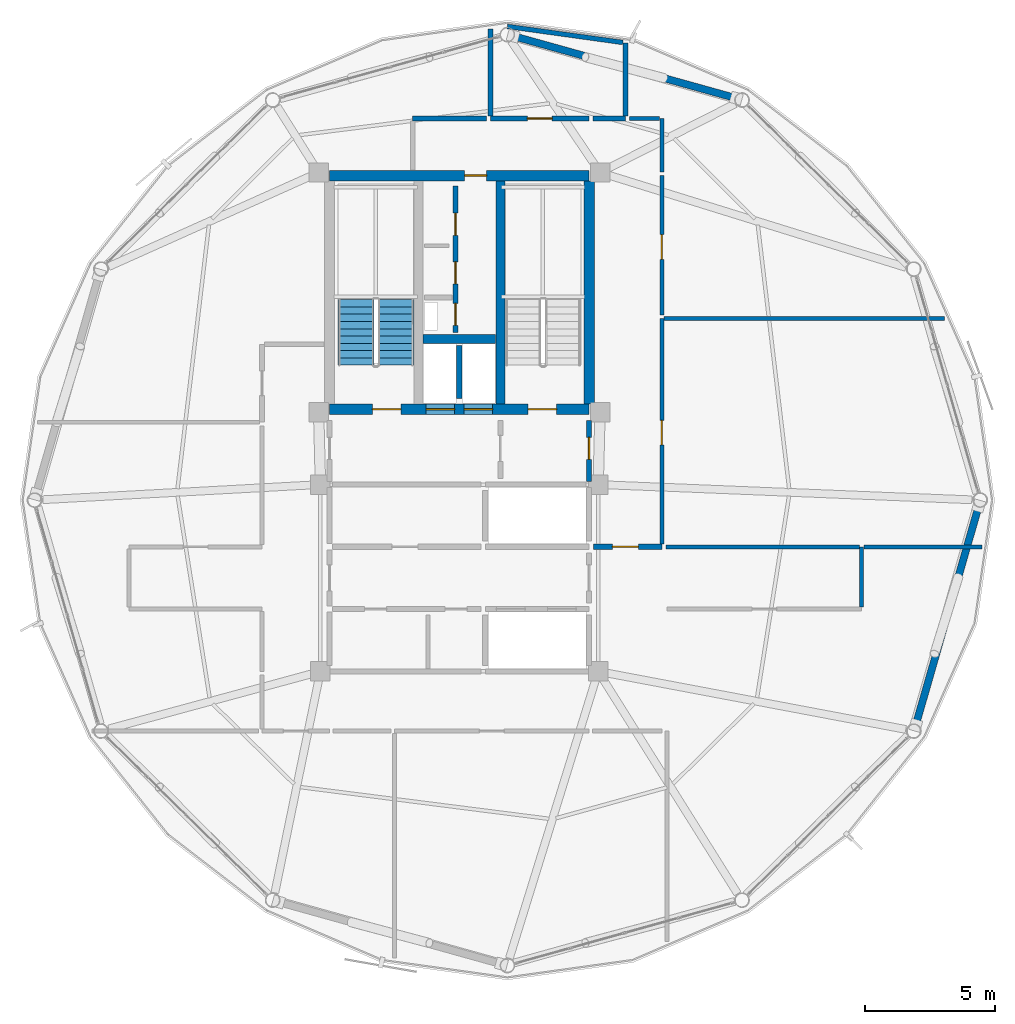
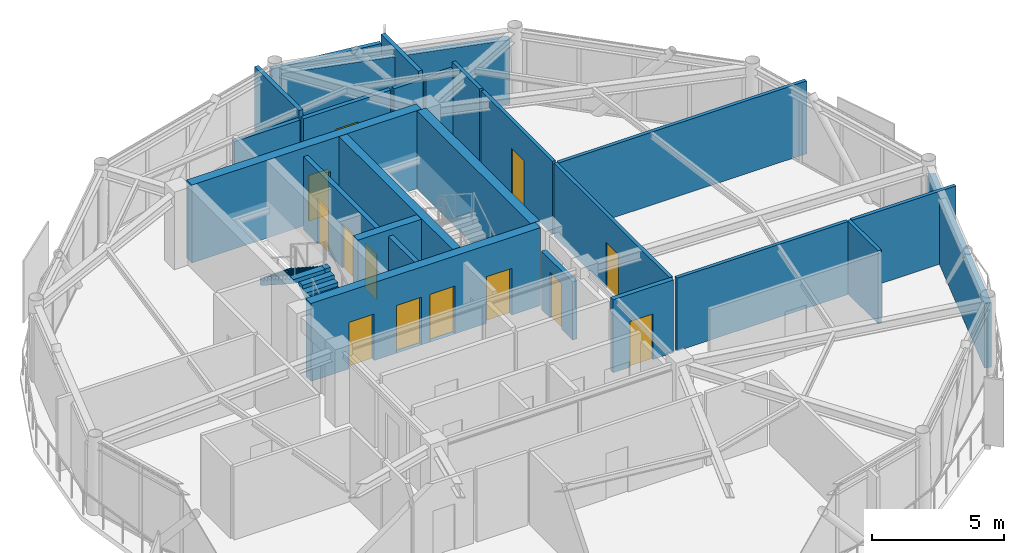
# One storey, part 22 of 27: 25 walls, 13 doors, 2 stair flights, 13 openings, 1 element without a shape of its own.
"""IFC4 building model written with IfcOpenShell, lengths in metres."""

from ifc_helpers import new_model, si_unit, direction, frame, frame_2d, origin, place, context, subcontext, project, spatial, polyline, rectangle, outline, extrude, material, layer, layer_set, type_object, element, fill, aggregate, save


model = new_model("IFC4")

# Units and contexts
model_context = context("Model", 3, precision=1e-05, world=origin(), true_north=direction((0.0, 1.0)))
body_context = subcontext(model_context, "Body", "Model", "MODEL_VIEW")
ifc_project = project(units=[si_unit("LENGTHUNIT", "METRE"), si_unit("AREAUNIT", "SQUARE_METRE"), si_unit("VOLUMEUNIT", "CUBIC_METRE"), si_unit("PLANEANGLEUNIT", "RADIAN"), si_unit("MASSUNIT", "GRAM", prefix="KILO")], contexts=[model_context])

# Site, building, storey
site_placement = place(None, origin())
site = spatial("IfcSite", under=ifc_project, at=site_placement, CompositionType="ELEMENT")
building_placement = place(site_placement, origin())
building = spatial("IfcBuilding", under=site, at=building_placement, Name="Varnakorn Sky Granary", CompositionType="ELEMENT")
storey_placement = place(building_placement, frame((0.0, 0.0, 263.39990234375)))
storey = spatial("IfcBuildingStorey", under=building, at=storey_placement, Name="L67", CompositionType="ELEMENT", Elevation=263.39990234375)

# Walls
ifc_material_1 = material(Name="Concrete C50/60", Category="concrete")
ifc_layer_1 = layer(ifc_material_1, 0.35009765625, Name="Concrete C50/60")
ifc_layer_set_1 = layer_set([ifc_layer_1], Name="Concrete C50/60")
wall_type_1 = type_object("IfcWallType", Name="WT-CW-INT-350", PredefinedType="SHEAR", material=ifc_layer_set_1)
wall_1_placement = place(storey_placement, frame((4.580078125, 3.7099609375, 0.0), z_axis=(0.0, 0.0, 1.0), x_axis=(0.0, 1.0, 0.0)))
element("IfcWall", 1, at=wall_1_placement, inside=storey, type_object=wall_type_1, Name="Stair ST-2 Core Wall L67", PredefinedType="SHEAR", context=body_context, shape_type="SweptSolid", body=[
    extrude(rectangle(XDim=8.580078125, YDim=0.35009765625, at=frame_2d((4.2900390625, 0.0))), origin(), (0.0, 0.0, 1.0), 3.592041015625),
])
wall_2_placement = place(storey_placement, frame((1.610107421875, 6.199951171875, 0.0), z_axis=(0.0, 0.0, 1.0), x_axis=(1.0, 0.0, 0.0)))
element("IfcWall", 2, at=wall_2_placement, inside=storey, type_object=wall_type_1, Name="Core Lift Shaft Cross Wall L67", PredefinedType="SHEAR", context=body_context, shape_type="SweptSolid", body=[
    extrude(rectangle(XDim=2.77978515625, YDim=0.35009765625, at=frame_2d((1.389892578125, 0.0))), origin(), (0.0, 0.0, 1.0), 3.592041015625),
])

# Wall, openings, doors
ifc_layer_2 = layer(ifc_material_1, 0.39990234375, Name="Concrete C50/60")
ifc_layer_set_2 = layer_set([ifc_layer_2], Name="Concrete C50/60")
wall_type_2 = type_object("IfcWallType", Name="WT-CW-SHEAR-400", PredefinedType="SHEAR", material=ifc_layer_set_2)
wall_3_placement = place(storey_placement, frame((-2.0, 3.5, 0.0), z_axis=(0.0, 0.0, 1.0), x_axis=(1.0, 0.0, 0.0)))
wall_3 = element("IfcWall", 3, at=wall_3_placement, inside=storey, type_object=wall_type_2, Name="Core South Shear Wall L67", PredefinedType="SHEAR", context=body_context, shape_type="SweptSolid", body=[
    extrude(rectangle(XDim=10.0, YDim=0.39990234375, at=frame_2d((5.0, 0.0))), origin(), (0.0, 0.0, 1.0), 3.592041015625),
])
opening_1_placement = place(wall_3_placement, frame((1.64990234375, 0.0, 0.0)))
opening_1 = element("IfcOpeningElement", 4, at=opening_1_placement, cuts=wall_3, Name="Opening FD-90", PredefinedType="OPENING", context=body_context, shape_type="SweptSolid", body=[
    extrude(rectangle(XDim=1.10009765625, YDim=2.14990234375, at=frame_2d((0.550048828125, 1.074951171875))), frame((0.0, 0.2099609375, 0.0), z_axis=(0.0, -1.0, 0.0), x_axis=(1.0, 0.0, 0.0)), (0.0, 0.0, 1.0), 0.419921875),
])
opening_2_placement = place(wall_3_placement, frame((7.64990234375, 0.0, 0.0)))
opening_2 = element("IfcOpeningElement", 5, at=opening_2_placement, cuts=wall_3, Name="Opening FD-90", PredefinedType="OPENING", context=body_context, shape_type="SweptSolid", body=[
    extrude(rectangle(XDim=1.10009765625, YDim=2.14990234375, at=frame_2d((0.550048828125, 1.074951171875))), frame((0.0, 0.2099609375, 0.0), z_axis=(0.0, -1.0, 0.0), x_axis=(1.0, 0.0, 0.0)), (0.0, 0.0, 1.0), 0.419921875),
])
opening_3_placement = place(wall_3_placement, frame((3.719970703125, 0.0, 0.0)))
opening_3 = element("IfcOpeningElement", 6, at=opening_3_placement, cuts=wall_3, Name="Opening LD-01", PredefinedType="OPENING", context=body_context, shape_type="SweptSolid", body=[
    extrude(rectangle(XDim=1.10009765625, YDim=2.199951171875, at=frame_2d((0.550048828125, 1.10009765625))), frame((0.0, 0.2099609375, 0.0), z_axis=(0.0, -1.0, 0.0), x_axis=(1.0, 0.0, 0.0)), (0.0, 0.0, 1.0), 0.419921875),
])
opening_4_placement = place(wall_3_placement, frame((5.179931640625, 0.0, 0.0)))
opening_4 = element("IfcOpeningElement", 7, at=opening_4_placement, cuts=wall_3, Name="Opening LD-01", PredefinedType="OPENING", context=body_context, shape_type="SweptSolid", body=[
    extrude(rectangle(XDim=1.10009765625, YDim=2.199951171875, at=frame_2d((0.550048828125, 1.10009765625))), frame((0.0, 0.2099609375, 0.0), z_axis=(0.0, -1.0, 0.0), x_axis=(1.0, 0.0, 0.0)), (0.0, 0.0, 1.0), 0.419921875),
])
ifc_material_2 = material(Name="Brushed Bronze Stainless Steel", Category="steel")
door_type_1 = type_object("IfcDoorType", Name="DR-LD-1100", OperationType="DOUBLE_DOOR_SLIDING", PredefinedType="DOOR", material=ifc_material_2)
door_1_placement = place(opening_3_placement, origin())
door_1 = element("IfcDoor", 8, at=door_1_placement, inside=storey, type_object=door_type_1, Name="Firefighting Lift FFL-1 Landing Door L67", OperationType="DOUBLE_DOOR_SLIDING", OverallHeight=2.199951171875, OverallWidth=1.10009765625, PredefinedType="DOOR", context=body_context, shape_type="SweptSolid", body=[
    extrude(rectangle(XDim=1.10009765625, YDim=2.199951171875, at=frame_2d((0.550048828125, 1.10009765625))), frame((0.0, 0.02490234375, 0.0), z_axis=(0.0, -1.0, 0.0), x_axis=(1.0, 0.0, 0.0)), (0.0, 0.0, 1.0), 0.050048828125),
])
fill(opening_3, door_1)
door_2_placement = place(opening_4_placement, origin())
door_2 = element("IfcDoor", 9, at=door_2_placement, inside=storey, type_object=door_type_1, Name="Firefighting Lift FFL-2 Landing Door L67", OperationType="DOUBLE_DOOR_SLIDING", OverallHeight=2.199951171875, OverallWidth=1.10009765625, PredefinedType="DOOR", context=body_context, shape_type="SweptSolid", body=[
    extrude(rectangle(XDim=1.10009765625, YDim=2.199951171875, at=frame_2d((0.550048828125, 1.10009765625))), frame((0.0, 0.02490234375, 0.0), z_axis=(0.0, -1.0, 0.0), x_axis=(1.0, 0.0, 0.0)), (0.0, 0.0, 1.0), 0.050048828125),
])
fill(opening_4, door_2)
ifc_material_3 = material(Name="Galvanised Painted Steel Leaf", Category="steel")
door_type_2 = type_object("IfcDoorType", Name="DR-STAIR-1100", OperationType="NOTDEFINED", PredefinedType="DOOR", material=ifc_material_3)
door_3_placement = place(opening_1_placement, origin())
door_3 = element("IfcDoor", 10, at=door_3_placement, inside=storey, type_object=door_type_2, Name="Stair ST-1 Protected Fire Door L67", OperationType="SINGLE_SWING_LEFT", OverallHeight=2.14990234375, OverallWidth=1.10009765625, PredefinedType="DOOR", context=body_context, shape_type="SweptSolid", body=[
    extrude(rectangle(XDim=1.10009765625, YDim=2.14990234375, at=frame_2d((0.550048828125, 1.074951171875))), frame((0.0, 0.02490234375, 0.0), z_axis=(0.0, -1.0, 0.0), x_axis=(1.0, 0.0, 0.0)), (0.0, 0.0, 1.0), 0.050048828125),
])
fill(opening_1, door_3)
door_4_placement = place(opening_2_placement, origin())
door_4 = element("IfcDoor", 11, at=door_4_placement, inside=storey, type_object=door_type_2, Name="Stair ST-2 Protected Fire Door L67", OperationType="SINGLE_SWING_RIGHT", OverallHeight=2.14990234375, OverallWidth=1.10009765625, PredefinedType="DOOR", context=body_context, shape_type="SweptSolid", body=[
    extrude(rectangle(XDim=1.10009765625, YDim=2.14990234375, at=frame_2d((0.550048828125, 1.074951171875))), frame((0.0, 0.02490234375, 0.0), z_axis=(0.0, -1.0, 0.0), x_axis=(1.0, 0.0, 0.0)), (0.0, 0.0, 1.0), 0.050048828125),
])
fill(opening_2, door_4)

# Wall, opening, door
wall_4_placement = place(storey_placement, frame((-2.0, 12.5, 0.0), z_axis=(0.0, 0.0, 1.0), x_axis=(1.0, 0.0, 0.0)))
wall_4 = element("IfcWall", 12, at=wall_4_placement, inside=storey, type_object=wall_type_2, Name="Core North Shear Wall L67", PredefinedType="SHEAR", context=body_context, shape_type="SweptSolid", body=[
    extrude(rectangle(XDim=10.0, YDim=0.39990234375, at=frame_2d((5.0, 0.0))), origin(), (0.0, 0.0, 1.0), 3.592041015625),
])
opening_5_placement = place(wall_4_placement, frame((5.199951171875, 0.0, 0.0)))
opening_5 = element("IfcOpeningElement", 13, at=opening_5_placement, cuts=wall_4, Name="Opening FD-60N", PredefinedType="OPENING", context=body_context, shape_type="SweptSolid", body=[
    extrude(rectangle(XDim=0.85009765625, YDim=2.10009765625, at=frame_2d((0.425048828125, 1.050048828125))), frame((0.0, 0.2099609375, 0.0), z_axis=(0.0, -1.0, 0.0), x_axis=(1.0, 0.0, 0.0)), (0.0, 0.0, 1.0), 0.419921875),
])
ifc_material_4 = material(Name="Acoustic Timber Fire Leaf", Category="wood")
door_type_3 = type_object("IfcDoorType", Name="DR-FD60-850", OperationType="NOTDEFINED", PredefinedType="DOOR", material=ifc_material_4)
door_5_placement = place(opening_5_placement, origin())
door_5 = element("IfcDoor", 14, at=door_5_placement, inside=storey, type_object=door_type_3, Name="Core North Service Door L67", OperationType="SINGLE_SWING_LEFT", OverallHeight=2.10009765625, OverallWidth=0.85009765625, PredefinedType="DOOR", context=body_context, shape_type="SweptSolid", body=[
    extrude(rectangle(XDim=0.85009765625, YDim=2.10009765625, at=frame_2d((0.425048828125, 1.050048828125))), frame((0.0, 0.02490234375, 0.0), z_axis=(0.0, -1.0, 0.0), x_axis=(1.0, 0.0, 0.0)), (0.0, 0.0, 1.0), 0.050048828125),
])
fill(opening_5, door_5)

# Walls
wall_5_placement = place(storey_placement, frame((8.0, 3.7099609375, 0.0), z_axis=(0.0, 0.0, 1.0), x_axis=(0.0, 1.0, 0.0)))
element("IfcWall", 15, at=wall_5_placement, inside=storey, type_object=wall_type_2, Name="Core East Shear Wall L67", PredefinedType="SHEAR", context=body_context, shape_type="SweptSolid", body=[
    extrude(rectangle(XDim=8.580078125, YDim=0.39990234375, at=frame_2d((4.2900390625, 0.0))), origin(), (0.0, 0.0, 1.0), 3.592041015625),
])
ifc_material_5 = material(Name="Precast concrete C40/50", Category="concrete")
ifc_layer_3 = layer(ifc_material_5, 0.280029296875, Name="Precast concrete C40/50")
ifc_layer_set_3 = layer_set([ifc_layer_3], Name="Precast concrete C40/50")
wall_type_3 = type_object("IfcWallType", Name="WT-EW-CRN-280", PredefinedType="SOLIDWALL", material=ifc_layer_set_3)
wall_6_placement = place(storey_placement, frame((5.075927734375, 17.8740234375, 0.0), z_axis=(0.0, 0.0, 1.0), x_axis=(0.963310582652, -0.268389123011, 0.0)))
element("IfcWall", 16, at=wall_6_placement, inside=storey, type_object=wall_type_3, Name="Agritech Insulated Precast Facade Wall L67-P03", PredefinedType="SOLIDWALL", context=body_context, shape_type="SweptSolid", body=[
    extrude(rectangle(XDim=8.920166015625, YDim=0.280029296875, at=frame_2d((4.4599609375, 0.0))), origin(), (0.0, 0.0, 1.0), 2.97021484375),
])
wall_7_placement = place(storey_placement, frame((23.00927734375, -0.225341796875, 0.0), z_axis=(0.0, 0.0, 1.0), x_axis=(-0.276257412009, -0.961083681221, 0.0)))
element("IfcWall", 17, at=wall_7_placement, inside=storey, type_object=wall_type_3, Name="Agritech Insulated Precast Facade Wall L67-P12", PredefinedType="SOLIDWALL", context=body_context, shape_type="SweptSolid", body=[
    extrude(rectangle(XDim=8.79248046875, YDim=0.280029296875, at=frame_2d((4.396240234375, 0.0))), origin(), (0.0, 0.0, 1.0), 2.97021484375),
])

# Wall, openings, doors
ifc_material_6 = material(Name="Autoclaved Aerated Concrete Blockwork", Category="masonry")
ifc_layer_4 = layer(ifc_material_6, 0.199951171875, Name="Autoclaved Aerated Concrete Blockwork")
ifc_layer_set_4 = layer_set([ifc_layer_4], Name="Autoclaved Aerated Concrete Blockwork")
wall_type_4 = type_object("IfcWallType", Name="WT-FIRE-200", PredefinedType="MOVABLE", material=ifc_layer_set_4)
wall_8_placement = place(storey_placement, frame((2.85009765625, 6.449951171875, 0.0), z_axis=(0.0, 0.0, 1.0), x_axis=(0.0, 1.0, 0.0)))
wall_8 = element("IfcWall", 18, at=wall_8_placement, inside=storey, type_object=wall_type_4, Name="Interior Partition Wall L67-011", PredefinedType="MOVABLE", context=body_context, shape_type="SweptSolid", body=[
    extrude(rectangle(XDim=5.650146484375, YDim=0.199951171875, at=frame_2d((2.8251953125, 0.0))), origin(), (0.0, 0.0, 1.0), 3.360107421875),
])
opening_6_placement = place(wall_8_placement, frame((1.8798828125, 0.0, 0.0)))
opening_6 = element("IfcOpeningElement", 19, at=opening_6_placement, cuts=wall_8, Name="Opening RD-85", PredefinedType="OPENING", context=body_context, shape_type="SweptSolid", body=[
    extrude(rectangle(XDim=0.85009765625, YDim=2.050048828125, at=frame_2d((0.425048828125, 1.02490234375))), frame((0.0, 0.10986328125, 0.0), z_axis=(0.0, -1.0, 0.0), x_axis=(1.0, 0.0, 0.0)), (0.0, 0.0, 1.0), 0.219970703125),
])
opening_7_placement = place(wall_8_placement, frame((3.75, 0.0, 0.0)))
opening_7 = element("IfcOpeningElement", 20, at=opening_7_placement, cuts=wall_8, Name="Opening FD-60N", PredefinedType="OPENING", context=body_context, shape_type="SweptSolid", body=[
    extrude(rectangle(XDim=0.85009765625, YDim=2.10009765625, at=frame_2d((0.425048828125, 1.050048828125))), frame((0.0, 0.10986328125, 0.0), z_axis=(0.0, -1.0, 0.0), x_axis=(1.0, 0.0, 0.0)), (0.0, 0.0, 1.0), 0.219970703125),
])
opening_8_placement = place(wall_8_placement, frame((0.280029296875, 0.0, 0.0)))
opening_8 = element("IfcOpeningElement", 21, at=opening_8_placement, cuts=wall_8, Name="Opening FD-60N", PredefinedType="OPENING", context=body_context, shape_type="SweptSolid", body=[
    extrude(rectangle(XDim=0.85009765625, YDim=2.10009765625, at=frame_2d((0.425048828125, 1.050048828125))), frame((0.0, 0.10986328125, 0.0), z_axis=(0.0, -1.0, 0.0), x_axis=(1.0, 0.0, 0.0)), (0.0, 0.0, 1.0), 0.219970703125),
])
door_6_placement = place(opening_7_placement, origin())
door_6 = element("IfcDoor", 22, at=door_6_placement, inside=storey, type_object=door_type_3, Name="Interior Door L67-011-2", OperationType="SINGLE_SWING_LEFT", OverallHeight=2.10009765625, OverallWidth=0.85009765625, PredefinedType="DOOR", context=body_context, shape_type="SweptSolid", body=[
    extrude(rectangle(XDim=0.85009765625, YDim=2.10009765625, at=frame_2d((0.425048828125, 1.050048828125))), frame((0.0, 0.02490234375, 0.0), z_axis=(0.0, -1.0, 0.0), x_axis=(1.0, 0.0, 0.0)), (0.0, 0.0, 1.0), 0.050048828125),
])
fill(opening_7, door_6)
door_7_placement = place(opening_8_placement, origin())
door_7 = element("IfcDoor", 23, at=door_7_placement, inside=storey, type_object=door_type_3, Name="Interior Door L67-011-3", OperationType="SINGLE_SWING_RIGHT", OverallHeight=2.10009765625, OverallWidth=0.85009765625, PredefinedType="DOOR", context=body_context, shape_type="SweptSolid", body=[
    extrude(rectangle(XDim=0.85009765625, YDim=2.10009765625, at=frame_2d((0.425048828125, 1.050048828125))), frame((0.0, 0.02490234375, 0.0), z_axis=(0.0, -1.0, 0.0), x_axis=(1.0, 0.0, 0.0)), (0.0, 0.0, 1.0), 0.050048828125),
])
fill(opening_8, door_7)
door_type_4 = type_object("IfcDoorType", Name="DR-RIS-850", OperationType="NOTDEFINED", PredefinedType="DOOR", material=ifc_material_3)
door_8_placement = place(opening_6_placement, origin())
door_8 = element("IfcDoor", 24, at=door_8_placement, inside=storey, type_object=door_type_4, Name="MEP Riser Shaft Access Door L67-011-1", OperationType="SINGLE_SWING_RIGHT", OverallHeight=2.050048828125, OverallWidth=0.85009765625, PredefinedType="DOOR", context=body_context, shape_type="SweptSolid", body=[
    extrude(rectangle(XDim=0.85009765625, YDim=2.050048828125, at=frame_2d((0.425048828125, 1.02490234375))), frame((0.0, 0.02490234375, 0.0), z_axis=(0.0, -1.0, 0.0), x_axis=(1.0, 0.0, 0.0)), (0.0, 0.0, 1.0), 0.050048828125),
])
fill(opening_6, door_8)

# Wall, opening, door
wall_9_placement = place(storey_placement, frame((8.0, 0.719970703125, 0.0), z_axis=(0.0, 0.0, 1.0), x_axis=(0.0, 1.0, 0.0)))
wall_9 = element("IfcWall", 25, at=wall_9_placement, inside=storey, type_object=wall_type_4, Name="Interior Partition Wall L67-014", PredefinedType="MOVABLE", context=body_context, shape_type="SweptSolid", body=[
    extrude(rectangle(XDim=2.35009765625, YDim=0.199951171875, at=frame_2d((1.175048828125, 0.0))), origin(), (0.0, 0.0, 1.0), 2.692138671875),
])
opening_9_placement = place(wall_9_placement, frame((0.844970703125, 0.0, 0.0)))
opening_9 = element("IfcOpeningElement", 26, at=opening_9_placement, cuts=wall_9, Name="Opening FD-60N", PredefinedType="OPENING", context=body_context, shape_type="SweptSolid", body=[
    extrude(rectangle(XDim=0.85009765625, YDim=2.10009765625, at=frame_2d((0.425048828125, 1.050048828125))), frame((0.0, 0.10986328125, 0.0), z_axis=(0.0, -1.0, 0.0), x_axis=(1.0, 0.0, 0.0)), (0.0, 0.0, 1.0), 0.219970703125),
])
door_9_placement = place(opening_9_placement, origin())
door_9 = element("IfcDoor", 27, at=door_9_placement, inside=storey, type_object=door_type_3, Name="Interior Door L67-014-1", OperationType="SINGLE_SWING_LEFT", OverallHeight=2.10009765625, OverallWidth=0.85009765625, PredefinedType="DOOR", context=body_context, shape_type="SweptSolid", body=[
    extrude(rectangle(XDim=0.85009765625, YDim=2.10009765625, at=frame_2d((0.425048828125, 1.050048828125))), frame((0.0, 0.02490234375, 0.0), z_axis=(0.0, -1.0, 0.0), x_axis=(1.0, 0.0, 0.0)), (0.0, 0.0, 1.0), 0.050048828125),
])
fill(opening_9, door_9)

wall_10_placement = place(storey_placement, frame((8.159912109375, -1.800048828125, 0.0), z_axis=(0.0, 0.0, 1.0), x_axis=(1.0, 0.0, 0.0)))
wall_10 = element("IfcWall", 28, at=wall_10_placement, inside=storey, type_object=wall_type_4, Name="Interior Partition Wall L67-019", PredefinedType="MOVABLE", context=body_context, shape_type="SweptSolid", body=[
    extrude(rectangle(XDim=2.64013671875, YDim=0.199951171875, at=frame_2d((1.320068359375, 0.0))), origin(), (0.0, 0.0, 1.0), 3.360107421875),
])
opening_10_placement = place(wall_10_placement, frame((0.739990234375, 0.0, 0.0)))
opening_10 = element("IfcOpeningElement", 29, at=opening_10_placement, cuts=wall_10, Name="Opening FD-60", PredefinedType="OPENING", context=body_context, shape_type="SweptSolid", body=[
    extrude(rectangle(XDim=1.0, YDim=2.10009765625, at=frame_2d((0.5, 1.050048828125))), frame((0.0, 0.10986328125, 0.0), z_axis=(0.0, -1.0, 0.0), x_axis=(1.0, 0.0, 0.0)), (0.0, 0.0, 1.0), 0.219970703125),
])
door_type_5 = type_object("IfcDoorType", Name="DR-FD60-1000", OperationType="NOTDEFINED", PredefinedType="DOOR", material=ifc_material_4)
door_10_placement = place(opening_10_placement, origin())
door_10 = element("IfcDoor", 30, at=door_10_placement, inside=storey, type_object=door_type_5, Name="Interior Door L67-019-1", OperationType="SINGLE_SWING_LEFT", OverallHeight=2.10009765625, OverallWidth=1.0, PredefinedType="DOOR", context=body_context, shape_type="SweptSolid", body=[
    extrude(rectangle(XDim=1.0, YDim=2.10009765625, at=frame_2d((0.5, 1.050048828125))), frame((0.0, 0.02490234375, 0.0), z_axis=(0.0, -1.0, 0.0), x_axis=(1.0, 0.0, 0.0)), (0.0, 0.0, 1.0), 0.050048828125),
])
fill(opening_10, door_10)

ifc_material_7 = material(Name="Gypsum Plasterboard on Steel Stud", Category="steel")
ifc_layer_5 = layer(ifc_material_7, 0.14990234375, Name="Gypsum Plasterboard on Steel Stud")
ifc_layer_set_5 = layer_set([ifc_layer_5], Name="Gypsum Plasterboard on Steel Stud")
wall_type_5 = type_object("IfcWallType", Name="WT-PART-150", PredefinedType="PARTITIONING", material=ifc_layer_set_5)
wall_11_placement = place(storey_placement, frame((10.800048828125, -1.68994140625, 0.0), z_axis=(0.0, 0.0, 1.0), x_axis=(0.0, 1.0, 0.0)))
wall_11 = element("IfcWall", 31, at=wall_11_placement, inside=storey, type_object=wall_type_5, Name="Interior Partition Wall L67-026", PredefinedType="PARTITIONING", context=body_context, shape_type="SweptSolid", body=[
    extrude(rectangle(XDim=8.68994140625, YDim=0.14990234375, at=frame_2d((4.344970703125, 0.0))), origin(), (0.0, 0.0, 1.0), 3.360107421875),
])
opening_11_placement = place(wall_11_placement, frame((3.81494140625, 0.0, 0.0)))
opening_11 = element("IfcOpeningElement", 32, at=opening_11_placement, cuts=wall_11, Name="Opening ID-95", PredefinedType="OPENING", context=body_context, shape_type="SweptSolid", body=[
    extrude(rectangle(XDim=0.949951171875, YDim=2.10009765625, at=frame_2d((0.47509765625, 1.050048828125))), frame((0.0, 0.0849609375, 0.0), z_axis=(0.0, -1.0, 0.0), x_axis=(1.0, 0.0, 0.0)), (0.0, 0.0, 1.0), 0.169921875),
])
ifc_material_8 = material(Name="Solid-Core Teak Veneer Leaf", Category="timber")
door_type_6 = type_object("IfcDoorType", Name="DR-INT-950", OperationType="NOTDEFINED", PredefinedType="DOOR", material=ifc_material_8)
door_11_placement = place(opening_11_placement, origin())
door_11 = element("IfcDoor", 33, at=door_11_placement, inside=storey, type_object=door_type_6, Name="Interior Door L67-026-1", OperationType="SINGLE_SWING_RIGHT", OverallHeight=2.10009765625, OverallWidth=0.949951171875, PredefinedType="DOOR", context=body_context, shape_type="SweptSolid", body=[
    extrude(rectangle(XDim=0.949951171875, YDim=2.10009765625, at=frame_2d((0.47509765625, 1.050048828125))), frame((0.0, 0.02490234375, 0.0), z_axis=(0.0, -1.0, 0.0), x_axis=(1.0, 0.0, 0.0)), (0.0, 0.0, 1.0), 0.050048828125),
])
fill(opening_11, door_11)

wall_12_placement = place(storey_placement, frame((10.800048828125, 7.135009765625, 0.0), z_axis=(0.0, 0.0, 1.0), x_axis=(0.0, 1.0, 0.0)))
wall_12 = element("IfcWall", 34, at=wall_12_placement, inside=storey, type_object=wall_type_5, Name="Interior Partition Wall L67-027", PredefinedType="PARTITIONING", context=body_context, shape_type="SweptSolid", body=[
    extrude(rectangle(XDim=5.364990234375, YDim=0.14990234375, at=frame_2d((2.6826171875, 0.0))), origin(), (0.0, 0.0, 1.0), 3.360107421875),
])
opening_12_placement = place(wall_12_placement, frame((2.139892578125, 0.0, 0.0)))
opening_12 = element("IfcOpeningElement", 35, at=opening_12_placement, cuts=wall_12, Name="Opening ID-95", PredefinedType="OPENING", context=body_context, shape_type="SweptSolid", body=[
    extrude(rectangle(XDim=0.949951171875, YDim=2.10009765625, at=frame_2d((0.47509765625, 1.050048828125))), frame((0.0, 0.0849609375, 0.0), z_axis=(0.0, -1.0, 0.0), x_axis=(1.0, 0.0, 0.0)), (0.0, 0.0, 1.0), 0.169921875),
])
door_12_placement = place(opening_12_placement, origin())
door_12 = element("IfcDoor", 36, at=door_12_placement, inside=storey, type_object=door_type_6, Name="Interior Door L67-027-1", OperationType="SINGLE_SWING_LEFT", OverallHeight=2.10009765625, OverallWidth=0.949951171875, PredefinedType="DOOR", context=body_context, shape_type="SweptSolid", body=[
    extrude(rectangle(XDim=0.949951171875, YDim=2.10009765625, at=frame_2d((0.47509765625, 1.050048828125))), frame((0.0, 0.02490234375, 0.0), z_axis=(0.0, -1.0, 0.0), x_axis=(1.0, 0.0, 0.0)), (0.0, 0.0, 1.0), 0.050048828125),
])
fill(opening_12, door_12)

# Walls
wall_13_placement = place(storey_placement, frame((18.5, -4.114990234375, 0.0), z_axis=(0.0, 0.0, 1.0), x_axis=(0.0, 1.0, 0.0)))
element("IfcWall", 37, at=wall_13_placement, inside=storey, type_object=wall_type_5, Name="Interior Partition Wall L67-040", PredefinedType="PARTITIONING", context=body_context, shape_type="SweptSolid", body=[
    extrude(rectangle(XDim=2.31494140625, YDim=0.14990234375, at=frame_2d((1.157470703125, 0.0))), origin(), (0.0, 0.0, 1.0), 3.360107421875),
])
wall_14_placement = place(storey_placement, frame((18.5849609375, -1.800048828125, 0.0), z_axis=(0.0, 0.0, 1.0), x_axis=(1.0, 0.0, 0.0)))
element("IfcWall", 38, at=wall_14_placement, inside=storey, type_object=wall_type_5, Name="Interior Partition Wall L67-041", PredefinedType="PARTITIONING", context=body_context, shape_type="SweptSolid", body=[
    extrude(rectangle(XDim=4.541015625, YDim=0.14990234375, at=frame_2d((2.2705078125, 0.0))), origin(), (0.0, 0.0, 1.0), 3.360107421875),
])
wall_15_placement = place(storey_placement, frame((18.4150390625, -1.800048828125, 0.0), z_axis=(0.0, 0.0, 1.0), x_axis=(-1.0, 0.0, 0.0)))
element("IfcWall", 39, at=wall_15_placement, inside=storey, type_object=wall_type_5, Name="Interior Partition Wall L67-052", PredefinedType="PARTITIONING", context=body_context, shape_type="SweptSolid", body=[
    extrude(rectangle(XDim=7.455078125, YDim=0.14990234375, at=frame_2d((3.7275390625, 0.0))), origin(), (0.0, 0.0, 1.0), 3.360107421875),
])
wall_16_placement = place(storey_placement, frame((10.885009765625, 7.0, 0.0), z_axis=(0.0, 0.0, 1.0), x_axis=(1.0, 0.0, 0.0)))
element("IfcWall", 40, at=wall_16_placement, inside=storey, type_object=wall_type_5, Name="Interior Partition Wall L67-053", PredefinedType="PARTITIONING", context=body_context, shape_type="SweptSolid", body=[
    extrude(rectangle(XDim=10.81005859375, YDim=0.14990234375, at=frame_2d((5.405029296875, 0.0))), origin(), (0.0, 0.0, 1.0), 3.360107421875),
])
wall_17_placement = place(storey_placement, frame((10.800048828125, 12.635009765625, 0.0), z_axis=(0.0, 0.0, 1.0), x_axis=(0.0, 1.0, 0.0)))
element("IfcWall", 41, at=wall_17_placement, inside=storey, type_object=wall_type_5, Name="Interior Partition Wall L67-054", PredefinedType="PARTITIONING", context=body_context, shape_type="SweptSolid", body=[
    extrude(rectangle(XDim=2.06494140625, YDim=0.14990234375, at=frame_2d((1.032470703125, 0.0))), origin(), (0.0, 0.0, 1.0), 3.360107421875),
])
wall_18_placement = place(storey_placement, frame((10.715087890625, 14.699951171875, 0.0), z_axis=(0.0, 0.0, 1.0), x_axis=(-1.0, 0.0, 0.0)))
element("IfcWall", 42, at=wall_18_placement, inside=storey, type_object=wall_type_5, Name="Interior Partition Wall L67-055", PredefinedType="PARTITIONING", context=body_context, shape_type="SweptSolid", body=[
    extrude(rectangle(XDim=1.1650390625, YDim=0.14990234375, at=frame_2d((0.58251953125, 0.0))), origin(), (0.0, 0.0, 1.0), 3.072021484375),
])

# Wall, opening, door
ifc_material_9 = material(Name="Moisture-Resistant Gypsum on Stud", Category="gypsum")
ifc_layer_6 = layer(ifc_material_9, 0.179931640625, Name="Moisture-Resistant Gypsum on Stud")
ifc_layer_set_6 = layer_set([ifc_layer_6], Name="Moisture-Resistant Gypsum on Stud")
wall_type_6 = type_object("IfcWallType", Name="WT-PLUMB-180", PredefinedType="PLUMBINGWALL", material=ifc_layer_set_6)
wall_19_placement = place(storey_placement, frame((8.0, 14.699951171875, 0.0), z_axis=(0.0, 0.0, 1.0), x_axis=(-1.0, 0.0, 0.0)))
wall_19 = element("IfcWall", 43, at=wall_19_placement, inside=storey, type_object=wall_type_6, Name="Interior Partition Wall L67-020", PredefinedType="PLUMBINGWALL", context=body_context, shape_type="SweptSolid", body=[
    extrude(rectangle(XDim=3.800048828125, YDim=0.179931640625, at=frame_2d((1.89990234375, 0.0))), origin(), (0.0, 0.0, 1.0), 3.072021484375),
])
opening_13_placement = place(wall_19_placement, frame((1.425048828125, 0.0, 0.0)))
opening_13 = element("IfcOpeningElement", 44, at=opening_13_placement, cuts=wall_19, Name="Opening ID-95", PredefinedType="OPENING", context=body_context, shape_type="SweptSolid", body=[
    extrude(rectangle(XDim=0.949951171875, YDim=2.10009765625, at=frame_2d((0.47509765625, 1.050048828125))), frame((0.0, 0.10009765625, 0.0), z_axis=(0.0, -1.0, 0.0), x_axis=(1.0, 0.0, 0.0)), (0.0, 0.0, 1.0), 0.199951171875),
])
door_13_placement = place(opening_13_placement, origin())
door_13 = element("IfcDoor", 45, at=door_13_placement, inside=storey, type_object=door_type_6, Name="Interior Door L67-020-1", OperationType="SINGLE_SWING_RIGHT", OverallHeight=2.10009765625, OverallWidth=0.949951171875, PredefinedType="DOOR", context=body_context, shape_type="SweptSolid", body=[
    extrude(rectangle(XDim=0.949951171875, YDim=2.10009765625, at=frame_2d((0.47509765625, 1.050048828125))), frame((0.0, 0.02490234375, 0.0), z_axis=(0.0, -1.0, 0.0), x_axis=(1.0, 0.0, 0.0)), (0.0, 0.0, 1.0), 0.050048828125),
])
fill(opening_13, door_13)

# Walls
wall_20_placement = place(storey_placement, frame((9.39990234375, 14.699951171875, 0.0), z_axis=(0.0, 0.0, 1.0), x_axis=(-1.0, 0.0, 0.0)))
element("IfcWall", 46, at=wall_20_placement, inside=storey, type_object=wall_type_6, Name="Interior Partition Wall L67-034", PredefinedType="PLUMBINGWALL", context=body_context, shape_type="SweptSolid", body=[
    extrude(rectangle(XDim=1.25, YDim=0.179931640625, at=frame_2d((0.625, 0.0))), origin(), (0.0, 0.0, 1.0), 3.072021484375),
])
wall_21_placement = place(storey_placement, frame((4.050048828125, 14.699951171875, 0.0), z_axis=(0.0, 0.0, 1.0), x_axis=(-1.0, 0.0, 0.0)))
element("IfcWall", 47, at=wall_21_placement, inside=storey, type_object=wall_type_6, Name="Interior Partition Wall L67-049", PredefinedType="PLUMBINGWALL", context=body_context, shape_type="SweptSolid", body=[
    extrude(rectangle(XDim=2.85009765625, YDim=0.179931640625, at=frame_2d((1.425048828125, 0.0))), origin(), (0.0, 0.0, 1.0), 3.072021484375),
])
wall_22_placement = place(storey_placement, frame((4.199951171875, 18.156982421875, 0.0), z_axis=(0.0, 0.0, 1.0), x_axis=(0.0, -1.0, 0.0)))
element("IfcWall", 48, at=wall_22_placement, inside=storey, type_object=wall_type_6, Name="Interior Partition Wall L67-051", PredefinedType="PLUMBINGWALL", context=body_context, shape_type="SweptSolid", body=[
    extrude(rectangle(XDim=3.35693359375, YDim=0.179931640625, at=frame_2d((1.678466796875, 0.0))), origin(), (0.0, 0.0, 1.0), 3.360107421875),
])
wall_23_placement = place(storey_placement, frame((9.39990234375, 14.800048828125, 0.0), z_axis=(0.0, 0.0, 1.0), x_axis=(0.0, 1.0, 0.0)))
element("IfcWall", 49, at=wall_23_placement, inside=storey, type_object=wall_type_6, Name="Interior Partition Wall L67-056", PredefinedType="PLUMBINGWALL", context=body_context, shape_type="SweptSolid", body=[
    extrude(rectangle(XDim=2.81494140625, YDim=0.179931640625, at=frame_2d((1.407470703125, 0.0))), origin(), (0.0, 0.0, 1.0), 3.360107421875),
])
wall_24_placement = place(storey_placement, frame((9.301025390625, 17.62890625, 0.0), z_axis=(0.0, 0.0, 1.0), x_axis=(-0.990492890088, 0.137563929445, 0.0)))
element("IfcWall", 50, at=wall_24_placement, inside=storey, type_object=wall_type_6, Name="Interior Partition Wall L67-057", PredefinedType="PLUMBINGWALL", context=body_context, shape_type="SweptSolid", body=[
    extrude(rectangle(XDim=4.49365234375, YDim=0.179931640625, at=frame_2d((2.246826171875, 0.0))), origin(), (0.0, 0.0, 1.0), 2.982177734375),
])
ifc_layer_7 = layer(ifc_material_6, 0.199951171875, Name="Autoclaved Aerated Concrete Blockwork")
ifc_layer_set_7 = layer_set([ifc_layer_7], Name="Autoclaved Aerated Concrete Blockwork")
wall_type_7 = type_object("IfcWallType", Name="WT-SHAFT-200", PredefinedType="SOLIDWALL", material=ifc_layer_set_7)
wall_25_placement = place(storey_placement, frame((3.0, 3.919921875, 0.0), z_axis=(0.0, 0.0, 1.0), x_axis=(0.0, 1.0, 0.0)))
element("IfcWall", 51, at=wall_25_placement, inside=storey, type_object=wall_type_7, Name="Interior Partition Wall L67-001", PredefinedType="SOLIDWALL", context=body_context, shape_type="SweptSolid", body=[
    extrude(rectangle(XDim=2.030029296875, YDim=0.199951171875, at=frame_2d((1.01513671875, 0.0))), origin(), (0.0, 0.0, 1.0), 3.360107421875),
])

# Stair, stair flights
ifc_material_10 = material(Name="Concrete C40/50", Category="concrete")
stair_type = type_object("IfcStairType", Name="ST-MAIN-ASSEMBLY", PredefinedType="HALF_TURN_STAIR", material=ifc_material_10)
stair_placement = place(storey_placement, origin())
stair = element("IfcStair", 52, at=stair_placement, inside=storey, type_object=stair_type, Name="L67 Protected Exit Stair ST-1", PredefinedType="HALF_TURN_STAIR")
stair_flight_type = type_object("IfcStairFlightType", Name="ST-MAIN-FLIGHT", PredefinedType="STRAIGHT", material=ifc_material_10)
stair_flight_1_placement = place(storey_placement, frame((0.550048828125, 5.199951171875, 0.0), z_axis=(0.0, 0.0, 1.0), x_axis=(0.0, 1.0, 0.0)))
stair_flight_1 = element("IfcStairFlight", 53, at=stair_flight_1_placement, type_object=stair_flight_type, Name="ST-1 flight 1", NumberOfRisers=10, NumberOfTreads=9, PredefinedType="STRAIGHT", RiserHeight=0.18, TreadLength=0.28, context=body_context, shape_type="SweptSolid", body=[
    extrude(outline(polyline([(0.0, -0.14990234375), (0.0, 0.0), (0.0, 0.179931640625), (0.280029296875, 0.179931640625), (0.280029296875, 0.360107421875), (0.56005859375, 0.360107421875), (0.56005859375, 0.5400390625), (0.840087890625, 0.5400390625), (0.840087890625, 0.719970703125), (1.1201171875, 0.719970703125), (1.1201171875, 0.89990234375), (1.39990234375, 0.89990234375), (1.39990234375, 1.080078125), (1.679931640625, 1.080078125), (1.679931640625, 1.260009765625), (1.9599609375, 1.260009765625), (1.9599609375, 1.43994140625), (2.239990234375, 1.43994140625), (2.239990234375, 1.6201171875), (2.52001953125, 1.6201171875), (2.52001953125, 1.800048828125), (2.52001953125, 1.44189453125), (0.050048828125, -0.14990234375), (0.0, -0.14990234375)])), frame((0.0, 0.68994140625, 0.0), z_axis=(0.0, -1.0, 0.0), x_axis=(1.0, 0.0, 0.0)), (0.0, 0.0, 1.0), 1.3798828125),
])
stair_flight_2_placement = place(storey_placement, frame((-0.97998046875, 7.719970703125, 1.800048828125), z_axis=(0.0, 0.0, 1.0), x_axis=(0.0, -1.0, 0.0)))
stair_flight_2 = element("IfcStairFlight", 54, at=stair_flight_2_placement, type_object=stair_flight_type, Name="ST-1 flight 2", NumberOfRisers=10, NumberOfTreads=9, PredefinedType="STRAIGHT", RiserHeight=0.18, TreadLength=0.28, context=body_context, shape_type="SweptSolid", body=[
    extrude(outline(polyline([(0.0, -0.14990234375), (0.0, 0.0), (0.0, 0.179931640625), (0.280029296875, 0.179931640625), (0.280029296875, 0.360107421875), (0.56005859375, 0.360107421875), (0.56005859375, 0.5400390625), (0.840087890625, 0.5400390625), (0.840087890625, 0.719970703125), (1.1201171875, 0.719970703125), (1.1201171875, 0.89990234375), (1.39990234375, 0.89990234375), (1.39990234375, 1.080078125), (1.679931640625, 1.080078125), (1.679931640625, 1.260009765625), (1.9599609375, 1.260009765625), (1.9599609375, 1.43994140625), (2.239990234375, 1.43994140625), (2.239990234375, 1.6201171875), (2.52001953125, 1.6201171875), (2.52001953125, 1.800048828125), (2.52001953125, 1.44189453125), (0.050048828125, -0.14990234375), (0.0, -0.14990234375)])), frame((0.0, 0.68994140625, 0.0), z_axis=(0.0, -1.0, 0.0), x_axis=(1.0, 0.0, 0.0)), (0.0, 0.0, 1.0), 1.3798828125),
])
aggregate(stair, [stair_flight_1, stair_flight_2])

save(model, "model.ifc")
